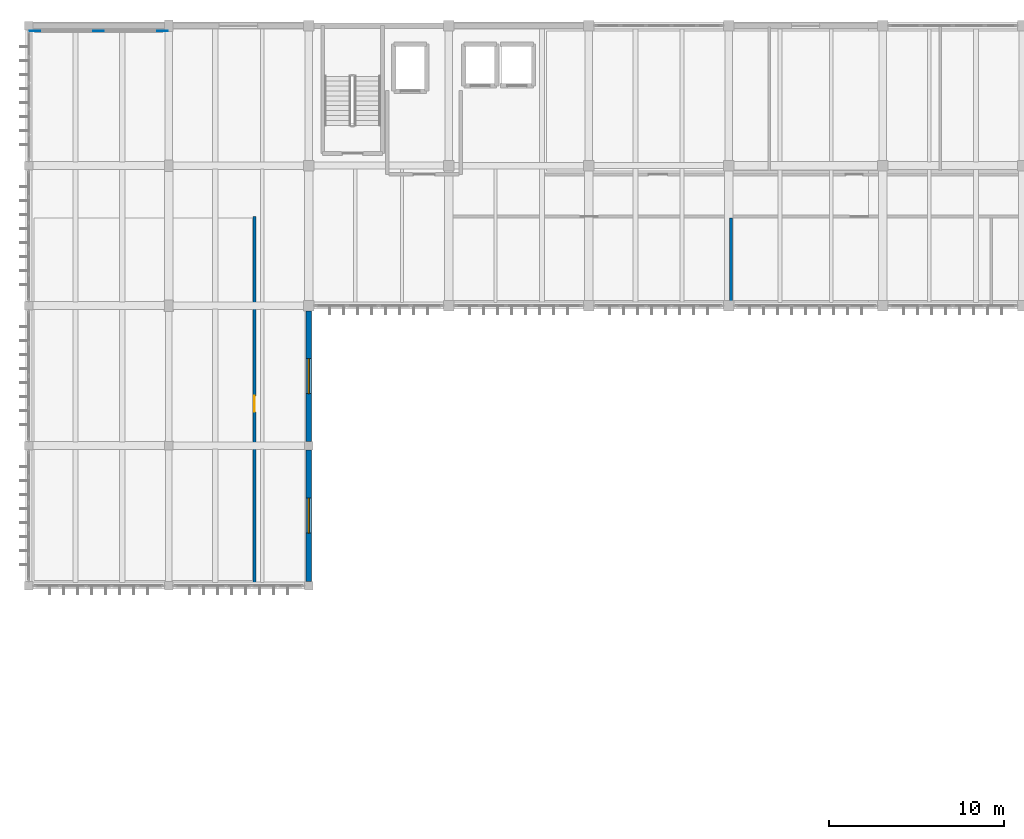
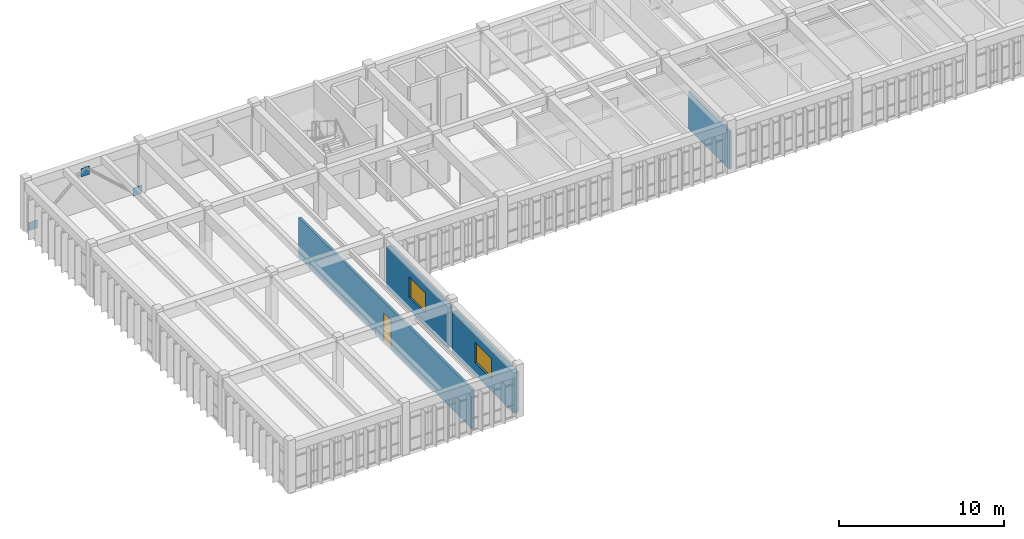
# One storey, part 15 of 22: 4 walls, 3 plates, 2 windows, 1 door, 3 openings.
"""IFC4 building model written with IfcOpenShell, lengths in metres."""

from ifc_helpers import new_model, si_unit, direction, frame, frame_2d, origin, origin_2d, place, context, subcontext, project, spatial, rectangle, extrude, material, layer, layer_set, type_object, element, fill, save


model = new_model("IFC4")

# Units and contexts
model_context = context("Model", 3, precision=1e-05, world=origin(), true_north=direction((0.0, 1.0)))
body_context = subcontext(model_context, "Body", "Model", "MODEL_VIEW")
ifc_project = project(units=[si_unit("LENGTHUNIT", "METRE"), si_unit("AREAUNIT", "SQUARE_METRE"), si_unit("VOLUMEUNIT", "CUBIC_METRE"), si_unit("PLANEANGLEUNIT", "RADIAN"), si_unit("MASSUNIT", "GRAM", prefix="KILO")], contexts=[model_context])

# Site, building, storey
site_placement = place(None, origin())
site = spatial("IfcSite", under=ifc_project, at=site_placement, CompositionType="ELEMENT")
building_placement = place(site_placement, origin())
building = spatial("IfcBuilding", under=site, at=building_placement, Name="Tlaxcora Railside Police Headquarters", CompositionType="ELEMENT")
storey_placement = place(building_placement, frame((0.0, 0.0, 21.89990234375)))
storey = spatial("IfcBuildingStorey", under=building, at=storey_placement, Name="L05", CompositionType="ELEMENT", Elevation=21.89990234375)

# Plates
ifc_material_1 = material(Name="Steel ASTM A992 Grade 50", Category="steel")
ifc_layer_1 = layer(ifc_material_1, 0.02490234375, Name="Steel ASTM A992 Grade 50")
ifc_layer_set_1 = layer_set([ifc_layer_1], Name="Steel ASTM A992 Grade 50")
plate_type = type_object("IfcPlateType", Name="Structural Gusset or Cap Plate GP-22", PredefinedType="USERDEFINED", material=ifc_layer_set_1)
for number, where, z_axis, x_axis, name in (
    (1, (5.550048828125, 92.5, 0.0), (0.0, 0.0, 1.0), (1.0, 0.0, 0.0), "Chevron brace 5 gusset plate L"),
    (2, (12.85009765625, 92.5, 0.0), (0.0, 0.0, 1.0), (1.0, 0.0, 0.0), "Chevron brace 5 gusset plate R"),
    (3, (9.199951171875, 92.5, 2.699951171875), (0.0, 0.0, 1.0), (1.0, 0.0, 0.0), "Chevron brace 5 gusset plate APEX"),
):
    element("IfcPlate", number, at=place(storey_placement, frame(where, z_axis=z_axis, x_axis=x_axis)), inside=storey, type_object=plate_type, Name=name, ObjectType="GUSSET PLATE", PredefinedType="USERDEFINED", context=body_context, shape_type="SweptSolid", body=[
        extrude(rectangle(XDim=0.60009765625, YDim=0.02490234375, at=origin_2d()), origin(), (0.0, 0.0, 1.0), 0.60009765625),
    ])

# Wall
ifc_material_2 = material(Name="Gypsum acoustic partition board")
ifc_layer_2 = layer(ifc_material_2, 0.159912109375, Name="Gypsum acoustic partition board")
ifc_layer_set_2 = layer_set([ifc_layer_2], Name="Gypsum acoustic partition board")
wall_type_1 = type_object("IfcWallType", Name="Interior Partition Wall IW-73", PredefinedType="PARTITIONING", material=ifc_layer_set_2)
wall_1_placement = place(storey_placement, frame((45.333984375, 76.8798828125, 0.0), z_axis=(0.0, 0.0, 1.0), x_axis=(0.0, 1.0, 0.0)))
element("IfcWall", 4, at=wall_1_placement, inside=storey, type_object=wall_type_1, Name="V5 L05 interior partition 227", PredefinedType="PARTITIONING", context=body_context, shape_type="SweptSolid", body=[
    extrude(rectangle(XDim=4.920166015625, YDim=0.159912109375, at=frame_2d((2.4599609375, 0.0))), origin(), (0.0, 0.0, 1.0), 2.78515625),
])

# Wall, opening, door
wall_2_placement = place(storey_placement, frame((18.10009765625, 60.8798828125, 0.0), z_axis=(0.0, 0.0, 1.0), x_axis=(0.0, 1.0, 0.0)))
wall_2 = element("IfcWall", 5, at=wall_2_placement, inside=storey, type_object=wall_type_1, Name="V5 L05 interior partition 234", PredefinedType="PARTITIONING", context=body_context, shape_type="SweptSolid", body=[
    extrude(rectangle(XDim=21.02001953125, YDim=0.159912109375, at=frame_2d((10.510009765625, 0.0))), origin(), (0.0, 0.0, 1.0), 2.93505859375),
])
opening_1_placement = place(wall_2_placement, frame((9.85009765625, 0.0, 0.0)))
opening_1 = element("IfcOpeningElement", 6, at=opening_1_placement, cuts=wall_2, Name="Opening D-L05-254", PredefinedType="OPENING", context=body_context, shape_type="SweptSolid", body=[
    extrude(rectangle(XDim=0.919921875, YDim=2.10009765625, at=frame_2d((0.4599609375, 1.050048828125))), frame((0.0, 0.08984375, 0.0), z_axis=(0.0, -1.0, 0.0), x_axis=(1.0, 0.0, 0.0)), (0.0, 0.0, 1.0), 0.179931640625),
])
door_type = type_object("IfcDoorType", Name="Swing or Sliding Personnel Door ID-49", OperationType="NOTDEFINED", PredefinedType="DOOR", material=ifc_material_1)
door_placement = place(opening_1_placement, origin())
door = element("IfcDoor", 7, at=door_placement, inside=storey, type_object=door_type, Name="V5 L05 door D-L05-254", OperationType="SINGLE_SWING_LEFT", OverallHeight=2.10009765625, OverallWidth=0.919921875, PredefinedType="DOOR", context=body_context, shape_type="SweptSolid", body=[
    extrude(rectangle(XDim=0.919921875, YDim=2.10009765625, at=frame_2d((0.4599609375, 1.050048828125))), frame((0.0, 0.02490234375, 0.0), z_axis=(0.0, -1.0, 0.0), x_axis=(1.0, 0.0, 0.0)), (0.0, 0.0, 1.0), 0.050048828125),
])
fill(opening_1, door)

# Wall, opening, window
ifc_material_3 = material(Name="Pressed clay brick masonry", Category="masonry")
ifc_layer_3 = layer(ifc_material_3, 0.294921875, Name="Pressed clay brick masonry")
ifc_layer_set_3 = layer_set([ifc_layer_3], Name="Pressed clay brick masonry")
wall_type_2 = type_object("IfcWallType", Name="Structural Bearing Wall EW-74", PredefinedType="SOLIDWALL", material=ifc_layer_set_3)
wall_3_placement = place(storey_placement, frame((21.199951171875, 61.050048828125, 0.0), z_axis=(0.0, 0.0, 1.0), x_axis=(0.0, 1.0, 0.0)))
wall_3 = element("IfcWall", 8, at=wall_3_placement, inside=storey, type_object=wall_type_2, Name="V5 L05 exterior wall 1.0", PredefinedType="SOLIDWALL", context=body_context, shape_type="SweptSolid", body=[
    extrude(rectangle(XDim=7.5, YDim=0.294921875, at=frame_2d((3.75, 0.0))), origin(), (0.0, 0.0, 1.0), 3.0),
])
opening_2_placement = place(wall_3_placement, frame((2.75, 0.0, 0.89990234375)))
opening_2 = element("IfcOpeningElement", 9, at=opening_2_placement, cuts=wall_3, Name="Opening WN-42", PredefinedType="OPENING", context=body_context, shape_type="SweptSolid", body=[
    extrude(rectangle(XDim=2.0, YDim=1.5, at=frame_2d((1.0, 0.75))), frame((0.0, 0.157470703125, 0.0), z_axis=(0.0, -1.0, 0.0), x_axis=(1.0, 0.0, 0.0)), (0.0, 0.0, 1.0), 0.31494140625),
])
ifc_material_4 = material(Name="Thermally broken low-E insulated glazing", Category="glass")
window_type = type_object("IfcWindowType", Name="Exterior Framed or Circular Window WN-42", PartitioningType="SINGLE_PANEL", PredefinedType="WINDOW", material=ifc_material_4)
window_1_placement = place(opening_2_placement, origin())
window_1 = element("IfcWindow", 10, at=window_1_placement, inside=storey, type_object=window_type, Name="V5 L05 window 143", OverallHeight=1.5, OverallWidth=2.0, PartitioningType="SINGLE_PANEL", PredefinedType="WINDOW", context=body_context, shape_type="SweptSolid", body=[
    extrude(rectangle(XDim=2.0, YDim=1.5, at=frame_2d((1.0, 0.75))), frame((0.0, 0.030029296875, 0.0), z_axis=(0.0, -1.0, 0.0), x_axis=(1.0, 0.0, 0.0)), (0.0, 0.0, 1.0), 0.06005859375),
])
fill(opening_2, window_1)

wall_4_placement = place(storey_placement, frame((21.199951171875, 69.050048828125, 0.0), z_axis=(0.0, 0.0, 1.0), x_axis=(0.0, 1.0, 0.0)))
wall_4 = element("IfcWall", 11, at=wall_4_placement, inside=storey, type_object=wall_type_2, Name="V5 L05 exterior wall 1.1", PredefinedType="SOLIDWALL", context=body_context, shape_type="SweptSolid", body=[
    extrude(rectangle(XDim=7.449951171875, YDim=0.294921875, at=frame_2d((3.72509765625, 0.0))), origin(), (0.0, 0.0, 1.0), 3.0),
])
opening_3_placement = place(wall_4_placement, frame((2.72509765625, 0.0, 0.89990234375)))
opening_3 = element("IfcOpeningElement", 12, at=opening_3_placement, cuts=wall_4, Name="Opening WN-42", PredefinedType="OPENING", context=body_context, shape_type="SweptSolid", body=[
    extrude(rectangle(XDim=2.0, YDim=1.5, at=frame_2d((1.0, 0.75))), frame((0.0, 0.157470703125, 0.0), z_axis=(0.0, -1.0, 0.0), x_axis=(1.0, 0.0, 0.0)), (0.0, 0.0, 1.0), 0.31494140625),
])
window_2_placement = place(opening_3_placement, origin())
window_2 = element("IfcWindow", 13, at=window_2_placement, inside=storey, type_object=window_type, Name="V5 L05 window 144", OverallHeight=1.5, OverallWidth=2.0, PartitioningType="SINGLE_PANEL", PredefinedType="WINDOW", context=body_context, shape_type="SweptSolid", body=[
    extrude(rectangle(XDim=2.0, YDim=1.5, at=frame_2d((1.0, 0.75))), frame((0.0, 0.030029296875, 0.0), z_axis=(0.0, -1.0, 0.0), x_axis=(1.0, 0.0, 0.0)), (0.0, 0.0, 1.0), 0.06005859375),
])
fill(opening_3, window_2)

save(model, "model.ifc")
